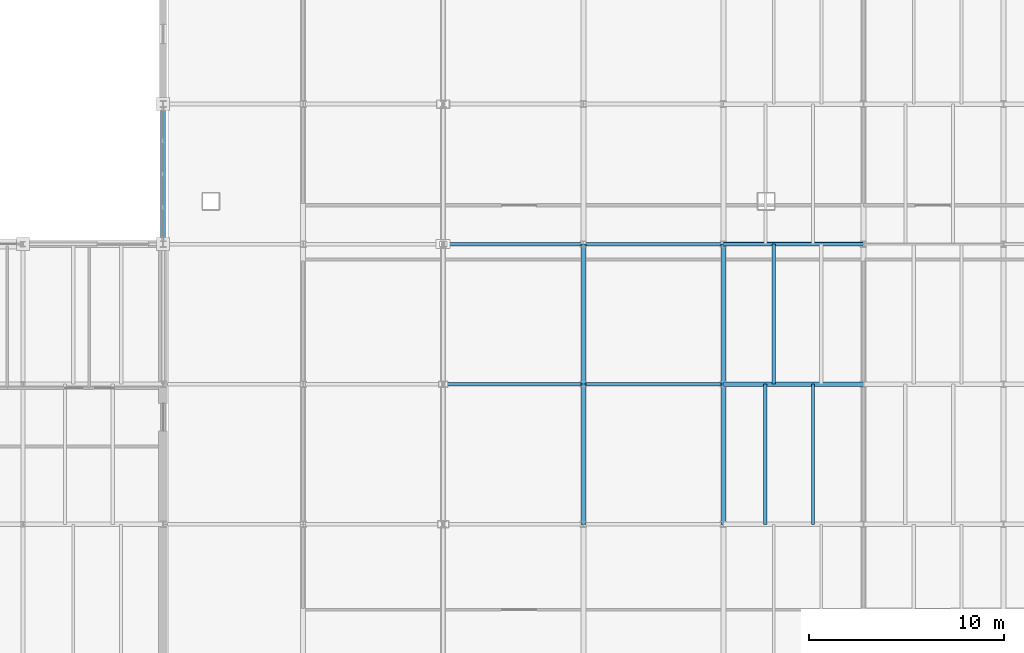
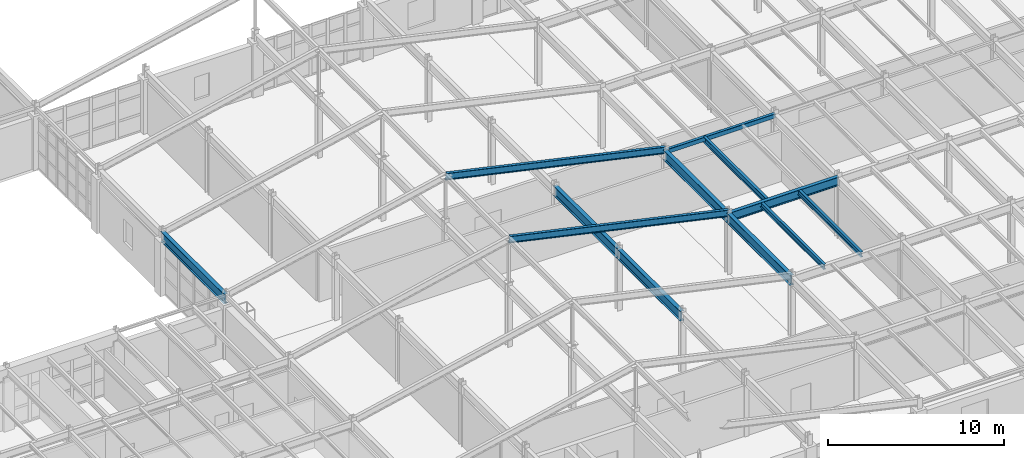
# One storey, part 80 of 137: 12 beams.
"""IFC4 building model written with IfcOpenShell, lengths in metres."""

from ifc_helpers import new_model, si_unit, direction, frame, origin, origin_2d, place, context, subcontext, project, spatial, hollow_rectangle, i_section, extrude, material, material_profile, profile_set, type_object, element, save


model = new_model("IFC4")

# Units and contexts
model_context = context("Model", 3, precision=1e-05, world=origin(), true_north=direction((0.0, 1.0)))
body_context = subcontext(model_context, "Body", "Model", "MODEL_VIEW")
ifc_project = project(units=[si_unit("LENGTHUNIT", "METRE"), si_unit("AREAUNIT", "SQUARE_METRE"), si_unit("VOLUMEUNIT", "CUBIC_METRE"), si_unit("PLANEANGLEUNIT", "RADIAN"), si_unit("MASSUNIT", "GRAM", prefix="KILO")], contexts=[model_context])

# Site, building, storey
site_placement = place(None, origin())
site = spatial("IfcSite", under=ifc_project, at=site_placement, CompositionType="ELEMENT")
building_placement = place(site_placement, origin())
building = spatial("IfcBuilding", under=site, at=building_placement, Name="Kemerveld Promenade Tramway Depot", CompositionType="ELEMENT")
storey_placement = place(building_placement, frame((0.0, 0.0, 5.39990234375)))
storey = spatial("IfcBuildingStorey", under=building, at=storey_placement, Name="L01", CompositionType="ELEMENT", Elevation=5.39990234375)

# Beams
ifc_material = material(Name="Steel S355", Category="steel")
ifc_material_profile_1 = material_profile(ifc_material, i_section(OverallWidth=0.25439453125, OverallDepth=0.6875, WebThickness=0.01318359375, FlangeThickness=0.02099609375, FilletRadius=0.01513671875, at=origin_2d()), Name="686x254x152 UB")
ifc_profile_set_1 = profile_set([ifc_material_profile_1], Name="Steel S355")
beam_type_1 = type_object("IfcBeamType", Name="BM-G03", PredefinedType="BEAM", material=ifc_profile_set_1)
beam_1_placement = place(storey_placement, frame((158.39990234375, 28.800048828125, 3.91650390625), z_axis=(0.0, 1.0, 0.0), x_axis=(-1.0, 0.0, 0.0)))
element("IfcBeam", 1, at=beam_1_placement, inside=storey, type_object=beam_type_1, Name="BMY-L01-23-E-F", PredefinedType="BEAM", context=body_context, shape_type="SweptSolid", body=[
    extrude(i_section(OverallWidth=0.25439453125, OverallDepth=0.6875, WebThickness=0.01318359375, FlangeThickness=0.02099609375, FilletRadius=0.01513671875, at=origin_2d()), origin(), (0.0, 0.0, 1.0), 7.199951171875),
])
beam_2_placement = place(storey_placement, frame((180.0, 14.39990234375, 3.896484375), z_axis=(0.0, 1.0, 0.0), x_axis=(-1.0, 0.0, 0.0)))
element("IfcBeam", 2, at=beam_2_placement, inside=storey, type_object=beam_type_1, Name="BMY-L01-26-C-D", PredefinedType="BEAM", context=body_context, shape_type="SweptSolid", body=[
    extrude(i_section(OverallWidth=0.25439453125, OverallDepth=0.6875, WebThickness=0.01318359375, FlangeThickness=0.02099609375, FilletRadius=0.01513671875, at=origin_2d()), origin(), (0.0, 0.0, 1.0), 7.2001953125),
])
beam_3_placement = place(storey_placement, frame((180.0, 21.60009765625, 3.896484375), z_axis=(0.0, 1.0, 0.0), x_axis=(-1.0, 0.0, 0.0)))
element("IfcBeam", 3, at=beam_3_placement, inside=storey, type_object=beam_type_1, Name="BMY-L01-26-D-E", PredefinedType="BEAM", context=body_context, shape_type="SweptSolid", body=[
    extrude(i_section(OverallWidth=0.25439453125, OverallDepth=0.6875, WebThickness=0.01318359375, FlangeThickness=0.02099609375, FilletRadius=0.01513671875, at=origin_2d()), origin(), (0.0, 0.0, 1.0), 7.199951171875),
])
beam_4_placement = place(storey_placement, frame((187.199951171875, 14.39990234375, 3.856201171875), z_axis=(0.0, 1.0, 0.0), x_axis=(-1.0, 0.0, 0.0)))
element("IfcBeam", 4, at=beam_4_placement, inside=storey, type_object=beam_type_1, Name="BMY-L01-27-C-D", PredefinedType="BEAM", context=body_context, shape_type="SweptSolid", body=[
    extrude(i_section(OverallWidth=0.25439453125, OverallDepth=0.6875, WebThickness=0.01318359375, FlangeThickness=0.02099609375, FilletRadius=0.01513671875, at=origin_2d()), origin(), (0.0, 0.0, 1.0), 7.2001953125),
])
beam_5_placement = place(storey_placement, frame((187.199951171875, 21.60009765625, 3.856201171875), z_axis=(0.0, 1.0, 0.0), x_axis=(-1.0, 0.0, 0.0)))
element("IfcBeam", 5, at=beam_5_placement, inside=storey, type_object=beam_type_1, Name="BMY-L01-27-D-E", PredefinedType="BEAM", context=body_context, shape_type="SweptSolid", body=[
    extrude(i_section(OverallWidth=0.25439453125, OverallDepth=0.6875, WebThickness=0.01318359375, FlangeThickness=0.02099609375, FilletRadius=0.01513671875, at=origin_2d()), origin(), (0.0, 0.0, 1.0), 7.199951171875),
])
ifc_material_profile_2 = material_profile(ifc_material, i_section(OverallWidth=0.22900390625, OverallDepth=0.6123046875, WebThickness=0.011962890625, FlangeThickness=0.01953125, FilletRadius=0.0126953125, at=origin_2d()), Name="610x229x125 UB")
ifc_profile_set_2 = profile_set([ifc_material_profile_2], Name="Steel S355")
beam_type_2 = type_object("IfcBeamType", Name="BM-G04", PredefinedType="BEAM", material=ifc_profile_set_2)
beam_6_placement = place(storey_placement, frame((187.199951171875, 21.60009765625, 3.89404296875), z_axis=(1.0, 0.0, 0.0), x_axis=(0.0, 1.0, 0.0)))
element("IfcBeam", 6, at=beam_6_placement, inside=storey, type_object=beam_type_2, Name="BMX-L01-27-28-D", PredefinedType="BEAM", context=body_context, shape_type="SweptSolid", body=[
    extrude(i_section(OverallWidth=0.22900390625, OverallDepth=0.6123046875, WebThickness=0.011962890625, FlangeThickness=0.01953125, FilletRadius=0.0126953125, at=origin_2d()), origin(), (0.0, 0.0, 1.0), 7.199951171875),
])
ifc_material_profile_3 = material_profile(ifc_material, i_section(OverallWidth=0.19140625, OverallDepth=0.4599609375, WebThickness=0.010009765625, FlangeThickness=0.01611328125, FilletRadius=0.01025390625, at=origin_2d()), Name="457x191x82 UB")
ifc_profile_set_3 = profile_set([ifc_material_profile_3], Name="Steel S355")
beam_type_3 = type_object("IfcBeamType", Name="BM-G06", PredefinedType="BEAM", material=ifc_profile_set_3)
for number, where, z_axis, x_axis, name in (
    (7, (172.800048828125, 21.60009765625, 7.375), (0.976187449608, 0.0, -0.216928705402), (0.0, 1.0, 0.0), "RAF-V2W-D-B"),
    (8, (172.800048828125, 28.800048828125, 7.375), (0.976187449608, 0.0, -0.216928705402), (0.0, 1.0, 0.0), "RAF-V2W-E-B"),
):
    element("IfcBeam", number, at=place(storey_placement, frame(where, z_axis=z_axis, x_axis=x_axis)), inside=storey, type_object=beam_type_3, Name=name, PredefinedType="BEAM", context=body_context, shape_type="SweptSolid", body=[
        extrude(i_section(OverallWidth=0.19140625, OverallDepth=0.4599609375, WebThickness=0.010009765625, FlangeThickness=0.01611328125, FilletRadius=0.01025390625, at=origin_2d()), origin(), (0.0, 0.0, 1.0), 14.751220703125),
    ])
ifc_material_profile_4 = material_profile(ifc_material, i_section(OverallWidth=0.172119140625, OverallDepth=0.35791015625, WebThickness=0.008056640625, FlangeThickness=0.012939453125, FilletRadius=0.01025390625, at=origin_2d()), Name="356x171x57 UB")
ifc_profile_set_4 = profile_set([ifc_material_profile_4], Name="Steel S355")
beam_type_4 = type_object("IfcBeamType", Name="BM-J04", PredefinedType="JOIST", material=ifc_profile_set_4)
for number, where, z_axis, x_axis, name in (
    (9, (189.360107421875, 14.39990234375, 4.02099609375), (0.0, 1.0, 0.0), (-1.0, 0.0, 0.0), "JST-L01-27-C-1"),
    (10, (191.80810546875, 14.39990234375, 4.02099609375), (0.0, 1.0, 0.0), (-1.0, 0.0, 0.0), "JST-L01-27-C-2"),
):
    element("IfcBeam", number, at=place(storey_placement, frame(where, z_axis=z_axis, x_axis=x_axis)), inside=storey, type_object=beam_type_4, Name=name, PredefinedType="JOIST", context=body_context, shape_type="SweptSolid", body=[
        extrude(i_section(OverallWidth=0.172119140625, OverallDepth=0.35791015625, WebThickness=0.008056640625, FlangeThickness=0.012939453125, FilletRadius=0.01025390625, at=origin_2d()), origin(), (0.0, 0.0, 1.0), 7.2001953125),
    ])
ifc_material_profile_5 = material_profile(ifc_material, i_section(OverallWidth=0.1787109375, OverallDepth=0.409423828125, WebThickness=0.0087890625, FlangeThickness=0.014404296875, FilletRadius=0.01025390625, at=origin_2d()), Name="406x178x67 UB")
ifc_profile_set_5 = profile_set([ifc_material_profile_5], Name="Steel S355")
beam_type_5 = type_object("IfcBeamType", Name="BM-J05", PredefinedType="JOIST", material=ifc_profile_set_5)
beam_7_placement = place(storey_placement, frame((189.7919921875, 21.60009765625, 3.995361328125), z_axis=(0.0, 1.0, 0.0), x_axis=(-1.0, 0.0, 0.0)))
element("IfcBeam", 11, at=beam_7_placement, inside=storey, type_object=beam_type_5, Name="JST-L01-27-D-1", PredefinedType="JOIST", context=body_context, shape_type="SweptSolid", body=[
    extrude(i_section(OverallWidth=0.1787109375, OverallDepth=0.409423828125, WebThickness=0.0087890625, FlangeThickness=0.014404296875, FilletRadius=0.01025390625, at=origin_2d()), origin(), (0.0, 0.0, 1.0), 7.199951171875),
])
ifc_material_profile_6 = material_profile(ifc_material, hollow_rectangle(XDim=0.199951171875, YDim=0.300048828125, WallThickness=0.012451171875, InnerFilletRadius=0.00634765625, OuterFilletRadius=0.018798828125, at=origin_2d()), Name="300x200x12.5 RHS")
ifc_profile_set_6 = profile_set([ifc_material_profile_6], Name="Steel S355")
beam_type_6 = type_object("IfcBeamType", Name="BM-SP1", PredefinedType="SPANDREL", material=ifc_profile_set_6)
beam_8_placement = place(storey_placement, frame((187.199951171875, 28.800048828125, 4.050048828125), z_axis=(1.0, 0.0, 0.0), x_axis=(0.0, 1.0, 0.0)))
element("IfcBeam", 12, at=beam_8_placement, inside=storey, type_object=beam_type_6, Name="BMX-L01-27-28-E", PredefinedType="SPANDREL", context=body_context, shape_type="SweptSolid", body=[
    extrude(hollow_rectangle(XDim=0.199951171875, YDim=0.300048828125, WallThickness=0.012451171875, InnerFilletRadius=0.00634765625, OuterFilletRadius=0.018798828125, at=origin_2d()), origin(), (0.0, 0.0, 1.0), 7.199951171875),
])

save(model, "model.ifc")
